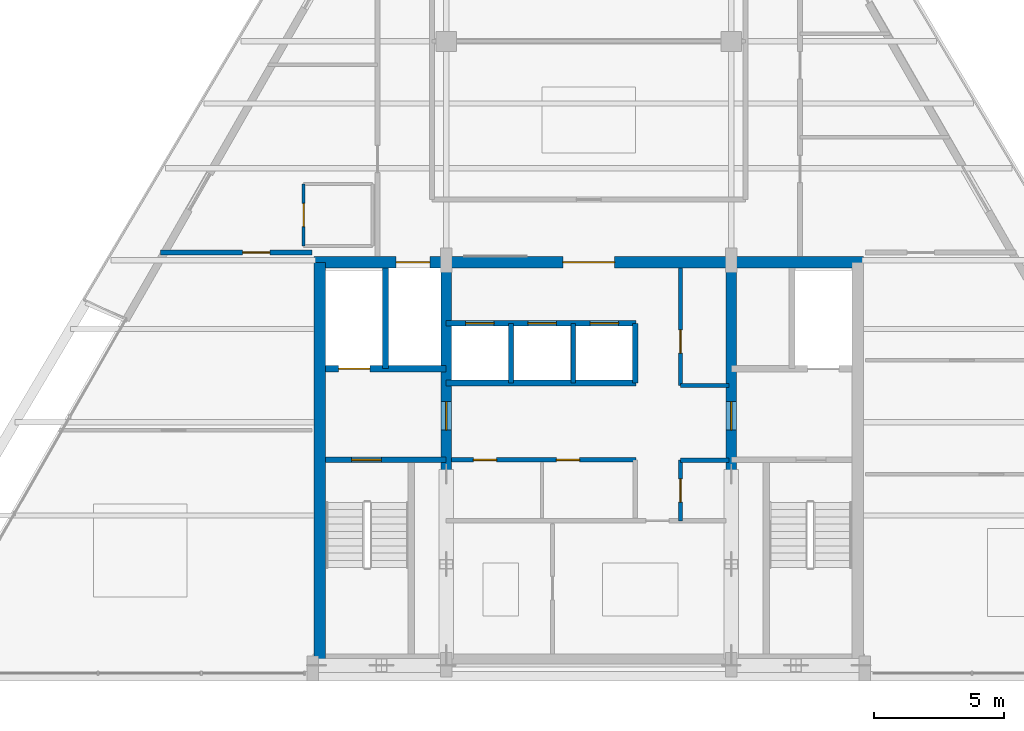
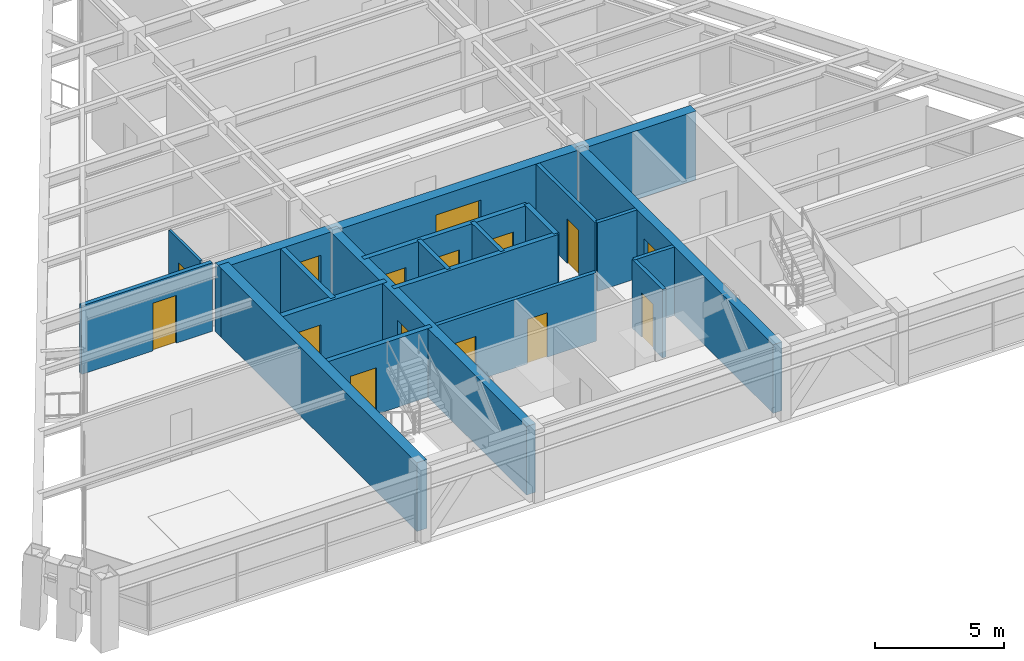
# One storey, part 9 of 13: 19 walls, 15 doors, 15 openings.
"""IFC4 building model written with IfcOpenShell, lengths in metres."""

from ifc_helpers import new_model, si_unit, direction, frame, frame_2d, origin, place, context, subcontext, project, spatial, rectangle, extrude, source, transform, mapped, material, layer, layer_set, type_object, type_shapes, element, fill, save


model = new_model("IFC4")

# Units and contexts
model_context = context("Model", 3, precision=1e-05, world=origin(), true_north=direction((0.0, 1.0)))
body_context = subcontext(model_context, "Body", "Model", "MODEL_VIEW")
ifc_project = project(units=[si_unit("LENGTHUNIT", "METRE"), si_unit("AREAUNIT", "SQUARE_METRE"), si_unit("VOLUMEUNIT", "CUBIC_METRE"), si_unit("PLANEANGLEUNIT", "RADIAN"), si_unit("MASSUNIT", "GRAM", prefix="KILO")], contexts=[model_context])

# Site, building, storey
site_placement = place(None, origin())
site = spatial("IfcSite", under=ifc_project, at=site_placement, CompositionType="ELEMENT")
building_placement = place(site_placement, origin())
building = spatial("IfcBuilding", under=site, at=building_placement, Name="Varnakhor Terracotta Tower", CompositionType="ELEMENT")
storey_placement = place(building_placement, frame((0.0, 0.0, 297.14990234375)))
storey = spatial("IfcBuildingStorey", under=building, at=storey_placement, Name="L78", CompositionType="ELEMENT", Elevation=297.14990234375)

# Wall, opening, door
ifc_material_1 = material(Name="Moisture-Resistant Tile-Backed Partition", Category="gypsum")
ifc_layer_1 = layer(ifc_material_1, 0.114990234375, Name="Moisture-Resistant Tile-Backed Partition")
ifc_layer_set_1 = layer_set([ifc_layer_1], Name="Moisture-Resistant Tile-Backed Partition")
wall_type_1 = type_object("IfcWallType", Name="WAL-BATH-115", PredefinedType="PARTITIONING", material=ifc_layer_set_1)
wall_1_placement = place(storey_placement, frame((-11.0, 16.60009765625, 0.0), z_axis=(0.0, 0.0, 1.0), x_axis=(0.0, 1.0, 0.0)))
wall_1 = element("IfcWall", 1, at=wall_1_placement, inside=storey, type_object=wall_type_1, Name="L78 En-Suite 1 Wall W", PredefinedType="PARTITIONING", context=body_context, shape_type="SweptSolid", body=[
    extrude(rectangle(XDim=2.39990234375, YDim=0.114990234375, at=frame_2d((1.199951171875, 0.0))), origin(), (0.0, 0.0, 1.0), 3.232177734375),
])
opening_1_placement = place(wall_1_placement, frame((0.75, 0.0, 0.0)))
opening_1 = element("IfcOpeningElement", 2, at=opening_1_placement, cuts=wall_1, Name="Opening DR-93", PredefinedType="OPENING", context=body_context, shape_type="SweptSolid", body=[
    extrude(rectangle(XDim=0.89990234375, YDim=2.14990234375, at=frame_2d((0.449951171875, 1.074951171875))), frame((0.0, 0.0673828125, 0.0), z_axis=(0.0, -1.0, 0.0), x_axis=(1.0, 0.0, 0.0)), (0.0, 0.0, 1.0), 0.135009765625),
])
ifc_material_2 = material(Name="Moisture-Resistant Accessible Bathroom Door", Category="wood")
door_type_1 = type_object("IfcDoorType", Name="DR-BATH-900X2150", OperationType="NOTDEFINED", PredefinedType="DOOR", material=ifc_material_2)
shared_shape_1 = source(origin(), body_context, "Body", "SweptSolid", [
    extrude(rectangle(XDim=0.89990234375, YDim=2.14990234375, at=frame_2d((0.449951171875, 1.074951171875))), frame((0.0, 0.02490234375, 0.0), z_axis=(0.0, -1.0, 0.0), x_axis=(1.0, 0.0, 0.0)), (0.0, 0.0, 1.0), 0.050048828125),
])
type_shapes(door_type_1, [shared_shape_1])
door_1_placement = place(opening_1_placement, origin())
door_1 = element("IfcDoor", 3, at=door_1_placement, inside=storey, type_object=door_type_1, Name="L78 En-Suite Bathroom 1 Door", OperationType="SINGLE_SWING_LEFT", OverallHeight=2.14990234375, OverallWidth=0.89990234375, PredefinedType="DOOR", context=body_context, shape_type="MappedRepresentation", body=[
    mapped(shared_shape_1, transform((0.0, 0.0, 0.0), scale=1.0)),
])
fill(opening_1, door_1)

# Wall, openings, doors
ifc_material_3 = material(Name="Concrete C50/60", Category="concrete")
ifc_layer_2 = layer(ifc_material_3, 0.449951171875, Name="Concrete C50/60")
ifc_layer_set_2 = layer_set([ifc_layer_2], Name="Concrete C50/60")
wall_type_2 = type_object("IfcWallType", Name="WAL-CORE-450", PredefinedType="SHEAR", material=ifc_layer_set_2)
wall_2_placement = place(storey_placement, frame((-10.60009765625, 15.97509765625, 0.0), z_axis=(0.0, 0.0, 1.0), x_axis=(1.0, 0.0, 0.0)))
wall_2 = element("IfcWall", 4, at=wall_2_placement, inside=storey, type_object=wall_type_2, Name="L78 North Core Shear Wall", PredefinedType="SHEAR", context=body_context, shape_type="SweptSolid", body=[
    extrude(rectangle(XDim=21.2001953125, YDim=0.449951171875, at=frame_2d((10.60009765625, 0.0))), origin(), (0.0, 0.0, 1.0), 3.239990234375),
])
opening_2_placement = place(wall_2_placement, frame((3.169921875, 0.0, 0.0)))
opening_2 = element("IfcOpeningElement", 5, at=opening_2_placement, cuts=wall_2, Name="Opening LD-03", PredefinedType="OPENING", context=body_context, shape_type="SweptSolid", body=[
    extrude(rectangle(XDim=1.300048828125, YDim=2.300048828125, at=frame_2d((0.64990234375, 1.14990234375))), frame((0.0, 0.23486328125, 0.0), z_axis=(0.0, -1.0, 0.0), x_axis=(1.0, 0.0, 0.0)), (0.0, 0.0, 1.0), 0.469970703125),
])
opening_3_placement = place(wall_2_placement, frame((9.60009765625, 0.0, 0.0)))
opening_3 = element("IfcOpeningElement", 6, at=opening_3_placement, cuts=wall_2, Name="Opening DR-32", PredefinedType="OPENING", context=body_context, shape_type="SweptSolid", body=[
    extrude(rectangle(XDim=2.0, YDim=2.39990234375, at=frame_2d((1.0, 1.199951171875))), frame((0.0, 0.23486328125, 0.0), z_axis=(0.0, -1.0, 0.0), x_axis=(1.0, 0.0, 0.0)), (0.0, 0.0, 1.0), 0.469970703125),
])
ifc_material_4 = material(Name="Heavy-Duty Goods Sliding Lift Landing Door", Category="steel")
door_type_2 = type_object("IfcDoorType", Name="LD-SRV-1300X2300", OperationType="NOTDEFINED", PredefinedType="DOOR", material=ifc_material_4)
shared_shape_2 = source(origin(), body_context, "Body", "SweptSolid", [
    extrude(rectangle(XDim=1.300048828125, YDim=2.300048828125, at=frame_2d((0.64990234375, 1.14990234375))), frame((0.0, 0.02490234375, 0.0), z_axis=(0.0, -1.0, 0.0), x_axis=(1.0, 0.0, 0.0)), (0.0, 0.0, 1.0), 0.050048828125),
])
type_shapes(door_type_2, [shared_shape_2])
door_2_placement = place(opening_2_placement, origin())
door_2 = element("IfcDoor", 7, at=door_2_placement, inside=storey, type_object=door_type_2, Name="L78 Service Lift SVL-1 Landing Door", OperationType="SLIDING_TO_RIGHT", OverallHeight=2.300048828125, OverallWidth=1.300048828125, PredefinedType="DOOR", context=body_context, shape_type="MappedRepresentation", body=[
    mapped(shared_shape_2, transform((0.0, 0.0, 0.0), scale=1.0)),
])
fill(opening_2, door_2)
ifc_material_5 = material(Name="Acoustic Double Assembly Fire Door", Category="wood")
door_type_3 = type_object("IfcDoorType", Name="DR-HALL-2000X2400", OperationType="NOTDEFINED", PredefinedType="DOOR", material=ifc_material_5)
shared_shape_3 = source(origin(), body_context, "Body", "SweptSolid", [
    extrude(rectangle(XDim=2.0, YDim=2.39990234375, at=frame_2d((1.0, 1.199951171875))), frame((0.0, 0.02490234375, 0.0), z_axis=(0.0, -1.0, 0.0), x_axis=(1.0, 0.0, 0.0)), (0.0, 0.0, 1.0), 0.050048828125),
])
type_shapes(door_type_3, [shared_shape_3])
door_3_placement = place(opening_3_placement, origin())
door_3 = element("IfcDoor", 8, at=door_3_placement, inside=storey, type_object=door_type_3, Name="L78 Core Main Lobby Double Door", OperationType="DOUBLE_DOOR_SINGLE_SWING", OverallHeight=2.39990234375, OverallWidth=2.0, PredefinedType="DOOR", context=body_context, shape_type="MappedRepresentation", body=[
    mapped(shared_shape_3, transform((0.0, 0.0, 0.0), scale=1.0)),
])
fill(opening_3, door_3)

# Wall
wall_3_placement = place(storey_placement, frame((-10.375, 0.625, 0.0), z_axis=(0.0, 0.0, 1.0), x_axis=(0.0, 1.0, 0.0)))
element("IfcWall", 9, at=wall_3_placement, inside=storey, type_object=wall_type_2, Name="L78 West Core Shear Wall", PredefinedType="SHEAR", context=body_context, shape_type="SweptSolid", body=[
    extrude(rectangle(XDim=15.35009765625, YDim=0.449951171875, at=frame_2d((7.675048828125, 0.0))), origin(), (0.0, 0.0, 1.0), 3.239990234375),
])

# Wall, opening, door
ifc_layer_3 = layer(ifc_material_3, 0.39990234375, Name="Concrete C50/60")
ifc_layer_set_3 = layer_set([ifc_layer_3], Name="Concrete C50/60")
wall_type_3 = type_object("IfcWallType", Name="WAL-CORE-WEB-400", PredefinedType="SHEAR", material=ifc_layer_set_3)
wall_4_placement = place(storey_placement, frame((-5.5, 0.625, 0.0), z_axis=(0.0, 0.0, 1.0), x_axis=(0.0, 1.0, 0.0)))
wall_4 = element("IfcWall", 10, at=wall_4_placement, inside=storey, type_object=wall_type_3, Name="L78 West Core Web Shear Wall", PredefinedType="SHEAR", context=body_context, shape_type="SweptSolid", body=[
    extrude(rectangle(XDim=15.35009765625, YDim=0.39990234375, at=frame_2d((7.675048828125, 0.0))), origin(), (0.0, 0.0, 1.0), 3.239990234375),
])
opening_4_placement = place(wall_4_placement, frame((8.875, 0.0, 0.0)))
opening_4 = element("IfcOpeningElement", 11, at=opening_4_placement, cuts=wall_4, Name="Opening DR-25", PredefinedType="OPENING", context=body_context, shape_type="SweptSolid", body=[
    extrude(rectangle(XDim=1.10009765625, YDim=2.199951171875, at=frame_2d((0.550048828125, 1.10009765625))), frame((0.0, 0.2099609375, 0.0), z_axis=(0.0, -1.0, 0.0), x_axis=(1.0, 0.0, 0.0)), (0.0, 0.0, 1.0), 0.419921875),
])
ifc_material_6 = material(Name="Firefighting Lobby Self-Closing Fire Door", Category="steel")
door_type_4 = type_object("IfcDoorType", Name="DR-FFL-1100X2200", OperationType="NOTDEFINED", PredefinedType="DOOR", material=ifc_material_6)
shared_shape_4 = source(origin(), body_context, "Body", "SweptSolid", [
    extrude(rectangle(XDim=1.10009765625, YDim=2.199951171875, at=frame_2d((0.550048828125, 1.10009765625))), frame((0.0, 0.02490234375, 0.0), z_axis=(0.0, -1.0, 0.0), x_axis=(1.0, 0.0, 0.0)), (0.0, 0.0, 1.0), 0.050048828125),
])
type_shapes(door_type_4, [shared_shape_4])
door_4_placement = place(opening_4_placement, origin())
door_4 = element("IfcDoor", 12, at=door_4_placement, inside=storey, type_object=door_type_4, Name="L78 West Firefighting Lobby Door", OperationType="SINGLE_SWING_RIGHT", OverallHeight=2.199951171875, OverallWidth=1.10009765625, PredefinedType="DOOR", context=body_context, shape_type="MappedRepresentation", body=[
    mapped(shared_shape_4, transform((0.0, 0.0, 0.0), scale=1.0)),
])
fill(opening_4, door_4)

wall_5_placement = place(storey_placement, frame((5.5, 0.625, 0.0), z_axis=(0.0, 0.0, 1.0), x_axis=(0.0, 1.0, 0.0)))
wall_5 = element("IfcWall", 13, at=wall_5_placement, inside=storey, type_object=wall_type_3, Name="L78 East Core Web Shear Wall", PredefinedType="SHEAR", context=body_context, shape_type="SweptSolid", body=[
    extrude(rectangle(XDim=15.35009765625, YDim=0.39990234375, at=frame_2d((7.675048828125, 0.0))), origin(), (0.0, 0.0, 1.0), 3.239990234375),
])
opening_5_placement = place(wall_5_placement, frame((8.875, 0.0, 0.0)))
opening_5 = element("IfcOpeningElement", 14, at=opening_5_placement, cuts=wall_5, Name="Opening DR-25", PredefinedType="OPENING", context=body_context, shape_type="SweptSolid", body=[
    extrude(rectangle(XDim=1.10009765625, YDim=2.199951171875, at=frame_2d((0.550048828125, 1.10009765625))), frame((0.0, 0.2099609375, 0.0), z_axis=(0.0, -1.0, 0.0), x_axis=(1.0, 0.0, 0.0)), (0.0, 0.0, 1.0), 0.419921875),
])
door_5_placement = place(opening_5_placement, origin())
door_5 = element("IfcDoor", 15, at=door_5_placement, inside=storey, type_object=door_type_4, Name="L78 East Firefighting Lobby Door", OperationType="SINGLE_SWING_RIGHT", OverallHeight=2.199951171875, OverallWidth=1.10009765625, PredefinedType="DOOR", context=body_context, shape_type="MappedRepresentation", body=[
    mapped(shared_shape_4, transform((0.0, 0.0, 0.0), scale=1.0)),
])
fill(opening_5, door_5)

ifc_material_7 = material(Name="Fire-Rated Gypsum Stud Partition", Category="gypsum")
ifc_layer_4 = layer(ifc_material_7, 0.18505859375, Name="Fire-Rated Gypsum Stud Partition")
ifc_layer_set_4 = layer_set([ifc_layer_4], Name="Fire-Rated Gypsum Stud Partition")
wall_type_4 = type_object("IfcWallType", Name="WAL-CORR-185", PredefinedType="PARTITIONING", material=ifc_layer_set_4)
wall_6_placement = place(storey_placement, frame((-16.52294921875, 16.35009765625, 0.0), z_axis=(0.0, 0.0, 1.0), x_axis=(1.0, 0.0, 0.0)))
wall_6 = element("IfcWall", 16, at=wall_6_placement, inside=storey, type_object=wall_type_4, Name="L78 South West Guest Entry Wall", PredefinedType="PARTITIONING", context=body_context, shape_type="SweptSolid", body=[
    extrude(rectangle(XDim=5.843017578125, YDim=0.18505859375, at=frame_2d((2.92138671875, 0.0))), origin(), (0.0, 0.0, 1.0), 3.232177734375),
])
opening_6_placement = place(wall_6_placement, frame((3.1708984375, 0.0, 0.0)))
opening_6 = element("IfcOpeningElement", 17, at=opening_6_placement, cuts=wall_6, Name="Opening DR-95", PredefinedType="OPENING", context=body_context, shape_type="SweptSolid", body=[
    extrude(rectangle(XDim=1.050048828125, YDim=2.25, at=frame_2d((0.52490234375, 1.125))), frame((0.0, 0.1025390625, 0.0), z_axis=(0.0, -1.0, 0.0), x_axis=(1.0, 0.0, 0.0)), (0.0, 0.0, 1.0), 0.205078125),
])
ifc_material_8 = material(Name="Solid-Core Timber Tenant/Hotel Entrance Door", Category="wood")
door_type_5 = type_object("IfcDoorType", Name="DR-SUITE-1050X2250", OperationType="NOTDEFINED", PredefinedType="DOOR", material=ifc_material_8)
shared_shape_5 = source(origin(), body_context, "Body", "SweptSolid", [
    extrude(rectangle(XDim=1.050048828125, YDim=2.25, at=frame_2d((0.52490234375, 1.125))), frame((0.0, 0.02490234375, 0.0), z_axis=(0.0, -1.0, 0.0), x_axis=(1.0, 0.0, 0.0)), (0.0, 0.0, 1.0), 0.050048828125),
])
type_shapes(door_type_5, [shared_shape_5])
door_6_placement = place(opening_6_placement, origin())
door_6 = element("IfcDoor", 18, at=door_6_placement, inside=storey, type_object=door_type_5, Name="L78 SW Suite Entry Door", OperationType="SINGLE_SWING_LEFT", OverallHeight=2.25, OverallWidth=1.050048828125, PredefinedType="DOOR", context=body_context, shape_type="MappedRepresentation", body=[
    mapped(shared_shape_5, transform((0.0, 0.0, 0.0), scale=1.0)),
])
fill(opening_6, door_6)

ifc_material_9 = material(Name="Concrete C40/50", Category="concrete")
ifc_layer_5 = layer(ifc_material_9, 0.219970703125, Name="Concrete C40/50")
ifc_layer_set_5 = layer_set([ifc_layer_5], Name="Concrete C40/50")
wall_type_5 = type_object("IfcWallType", Name="WAL-FFLOBBY-220", PredefinedType="SOLIDWALL", material=ifc_layer_set_5)
wall_7_placement = place(storey_placement, frame((-5.5, 8.35009765625, 0.0), z_axis=(0.0, 0.0, 1.0), x_axis=(-1.0, 0.0, 0.0)))
wall_7 = element("IfcWall", 19, at=wall_7_placement, inside=storey, type_object=wall_type_5, Name="L78 West Firefighting Lobby Stair Wall", PredefinedType="SOLIDWALL", context=body_context, shape_type="SweptSolid", body=[
    extrude(rectangle(XDim=4.64990234375, YDim=0.219970703125, at=frame_2d((2.324951171875, 0.0))), origin(), (0.0, 0.0, 1.0), 3.239990234375),
])
opening_7_placement = place(wall_7_placement, frame((2.5, 0.0, 0.0)))
opening_7 = element("IfcOpeningElement", 20, at=opening_7_placement, cuts=wall_7, Name="Opening DR-34", PredefinedType="OPENING", context=body_context, shape_type="SweptSolid", body=[
    extrude(rectangle(XDim=1.14990234375, YDim=2.199951171875, at=frame_2d((0.574951171875, 1.10009765625))), frame((0.0, 0.1201171875, 0.0), z_axis=(0.0, -1.0, 0.0), x_axis=(1.0, 0.0, 0.0)), (0.0, 0.0, 1.0), 0.239990234375),
])
ifc_material_10 = material(Name="Self-Closing Smoke-Sealed Steel Fire Door", Category="steel")
door_type_6 = type_object("IfcDoorType", Name="DR-STAIR-1150X2200", OperationType="NOTDEFINED", PredefinedType="DOOR", material=ifc_material_10)
shared_shape_6 = source(origin(), body_context, "Body", "SweptSolid", [
    extrude(rectangle(XDim=1.14990234375, YDim=2.199951171875, at=frame_2d((0.574951171875, 1.10009765625))), frame((0.0, 0.02490234375, 0.0), z_axis=(0.0, -1.0, 0.0), x_axis=(1.0, 0.0, 0.0)), (0.0, 0.0, 1.0), 0.050048828125),
])
type_shapes(door_type_6, [shared_shape_6])
door_7_placement = place(opening_7_placement, origin())
door_7 = element("IfcDoor", 21, at=door_7_placement, inside=storey, type_object=door_type_6, Name="L78 Exit Stair ST-1 Fire Door", OperationType="SINGLE_SWING_LEFT", OverallHeight=2.199951171875, OverallWidth=1.14990234375, PredefinedType="DOOR", context=body_context, shape_type="MappedRepresentation", body=[
    mapped(shared_shape_6, transform((0.0, 0.0, 0.0), scale=1.0)),
])
fill(opening_7, door_7)

# Walls
ifc_layer_6 = layer(ifc_material_9, 0.179931640625, Name="Concrete C40/50")
ifc_layer_set_6 = layer_set([ifc_layer_6], Name="Concrete C40/50")
wall_type_6 = type_object("IfcWallType", Name="WAL-SHAFT-180", PredefinedType="SOLIDWALL", material=ifc_layer_set_6)
for number, where, z_axis, x_axis, name in (
    (22, (-3.0, 11.320068359375, 0.0), (0.0, 0.0, 1.0), (0.0, 1.0, 0.0), "L78 PL-3A Divider"),
    (23, (-0.60009765625, 11.320068359375, 0.0), (0.0, 0.0, 1.0), (0.0, 1.0, 0.0), "L78 PL-3B Divider"),
):
    element("IfcWall", number, at=place(storey_placement, frame(where, z_axis=z_axis, x_axis=x_axis)), inside=storey, type_object=wall_type_6, Name=name, PredefinedType="SOLIDWALL", context=body_context, shape_type="SweptSolid", body=[
        extrude(rectangle(XDim=2.300048828125, YDim=0.179931640625, at=frame_2d((1.14990234375, 0.0))), origin(), (0.0, 0.0, 1.0), 3.239990234375),
    ])
ifc_layer_7 = layer(ifc_material_9, 0.219970703125, Name="Concrete C40/50")
ifc_layer_set_7 = layer_set([ifc_layer_7], Name="Concrete C40/50")
wall_type_7 = type_object("IfcWallType", Name="WAL-SHAFT-220", PredefinedType="SOLIDWALL", material=ifc_layer_set_7)
wall_8_placement = place(storey_placement, frame((-7.840087890625, 11.8701171875, 0.0), z_axis=(0.0, 0.0, 1.0), x_axis=(0.0, 1.0, 0.0)))
element("IfcWall", 24, at=wall_8_placement, inside=storey, type_object=wall_type_7, Name="L78 Lift FFL-1 and SVL-1 Divider Wall", PredefinedType="SOLIDWALL", context=body_context, shape_type="SweptSolid", body=[
    extrude(rectangle(XDim=3.8798828125, YDim=0.219970703125, at=frame_2d((1.93994140625, 0.0))), origin(), (0.0, 0.0, 1.0), 3.239990234375),
])
wall_9_placement = place(storey_placement, frame((-5.5, 11.320068359375, 0.0), z_axis=(0.0, 0.0, 1.0), x_axis=(1.0, 0.0, 0.0)))
element("IfcWall", 25, at=wall_9_placement, inside=storey, type_object=wall_type_7, Name="L78 Bank 3 South Shaft Wall", PredefinedType="SOLIDWALL", context=body_context, shape_type="SweptSolid", body=[
    extrude(rectangle(XDim=7.320068359375, YDim=0.219970703125, at=frame_2d((3.66015625, 0.0))), origin(), (0.0, 0.0, 1.0), 3.239990234375),
])

# Wall, openings, doors
wall_10_placement = place(storey_placement, frame((-5.5, 13.6201171875, 0.0), z_axis=(0.0, 0.0, 1.0), x_axis=(1.0, 0.0, 0.0)))
wall_10 = element("IfcWall", 26, at=wall_10_placement, inside=storey, type_object=wall_type_7, Name="L78 Bank 3 North Shaft Wall", PredefinedType="SOLIDWALL", context=body_context, shape_type="SweptSolid", body=[
    extrude(rectangle(XDim=7.320068359375, YDim=0.219970703125, at=frame_2d((3.66015625, 0.0))), origin(), (0.0, 0.0, 1.0), 3.239990234375),
])
opening_8_placement = place(wall_10_placement, frame((0.75, 0.0, 0.0)))
opening_8 = element("IfcOpeningElement", 27, at=opening_8_placement, cuts=wall_10, Name="Opening LD-01", PredefinedType="OPENING", context=body_context, shape_type="SweptSolid", body=[
    extrude(rectangle(XDim=1.10009765625, YDim=2.199951171875, at=frame_2d((0.550048828125, 1.10009765625))), frame((0.0, 0.1201171875, 0.0), z_axis=(0.0, -1.0, 0.0), x_axis=(1.0, 0.0, 0.0)), (0.0, 0.0, 1.0), 0.239990234375),
])
opening_9_placement = place(wall_10_placement, frame((3.14990234375, 0.0, 0.0)))
opening_9 = element("IfcOpeningElement", 28, at=opening_9_placement, cuts=wall_10, Name="Opening LD-01", PredefinedType="OPENING", context=body_context, shape_type="SweptSolid", body=[
    extrude(rectangle(XDim=1.10009765625, YDim=2.199951171875, at=frame_2d((0.550048828125, 1.10009765625))), frame((0.0, 0.1201171875, 0.0), z_axis=(0.0, -1.0, 0.0), x_axis=(1.0, 0.0, 0.0)), (0.0, 0.0, 1.0), 0.239990234375),
])
opening_10_placement = place(wall_10_placement, frame((5.550048828125, 0.0, 0.0)))
opening_10 = element("IfcOpeningElement", 29, at=opening_10_placement, cuts=wall_10, Name="Opening LD-01", PredefinedType="OPENING", context=body_context, shape_type="SweptSolid", body=[
    extrude(rectangle(XDim=1.10009765625, YDim=2.199951171875, at=frame_2d((0.550048828125, 1.10009765625))), frame((0.0, 0.1201171875, 0.0), z_axis=(0.0, -1.0, 0.0), x_axis=(1.0, 0.0, 0.0)), (0.0, 0.0, 1.0), 0.239990234375),
])
ifc_material_11 = material(Name="Brushed Stainless Steel Sliding Lift Landing Door", Category="steel")
door_type_7 = type_object("IfcDoorType", Name="LD-PASS-1100X2200", OperationType="NOTDEFINED", PredefinedType="DOOR", material=ifc_material_11)
shared_shape_7 = source(origin(), body_context, "Body", "SweptSolid", [
    extrude(rectangle(XDim=1.10009765625, YDim=2.199951171875, at=frame_2d((0.550048828125, 1.10009765625))), frame((0.0, 0.02490234375, 0.0), z_axis=(0.0, -1.0, 0.0), x_axis=(1.0, 0.0, 0.0)), (0.0, 0.0, 1.0), 0.050048828125),
])
type_shapes(door_type_7, [shared_shape_7])
door_8_placement = place(opening_8_placement, origin())
door_8 = element("IfcDoor", 30, at=door_8_placement, inside=storey, type_object=door_type_7, Name="L78 Passenger Lift PL-3A Landing Door", OperationType="SLIDING_TO_RIGHT", OverallHeight=2.199951171875, OverallWidth=1.10009765625, PredefinedType="DOOR", context=body_context, shape_type="MappedRepresentation", body=[
    mapped(shared_shape_7, transform((0.0, 0.0, 0.0), scale=1.0)),
])
fill(opening_8, door_8)
door_9_placement = place(opening_9_placement, origin())
door_9 = element("IfcDoor", 31, at=door_9_placement, inside=storey, type_object=door_type_7, Name="L78 Passenger Lift PL-3B Landing Door", OperationType="SLIDING_TO_RIGHT", OverallHeight=2.199951171875, OverallWidth=1.10009765625, PredefinedType="DOOR", context=body_context, shape_type="MappedRepresentation", body=[
    mapped(shared_shape_7, transform((0.0, 0.0, 0.0), scale=1.0)),
])
fill(opening_9, door_9)
door_10_placement = place(opening_10_placement, origin())
door_10 = element("IfcDoor", 32, at=door_10_placement, inside=storey, type_object=door_type_7, Name="L78 Passenger Lift PL-3C Landing Door", OperationType="SLIDING_TO_RIGHT", OverallHeight=2.199951171875, OverallWidth=1.10009765625, PredefinedType="DOOR", context=body_context, shape_type="MappedRepresentation", body=[
    mapped(shared_shape_7, transform((0.0, 0.0, 0.0), scale=1.0)),
])
fill(opening_10, door_10)

# Wall
wall_11_placement = place(storey_placement, frame((1.800048828125, 11.320068359375, 0.0), z_axis=(0.0, 0.0, 1.0), x_axis=(0.0, 1.0, 0.0)))
element("IfcWall", 33, at=wall_11_placement, inside=storey, type_object=wall_type_7, Name="L78 Bank 3 East Shaft Wall", PredefinedType="SOLIDWALL", context=body_context, shape_type="SweptSolid", body=[
    extrude(rectangle(XDim=2.300048828125, YDim=0.219970703125, at=frame_2d((1.14990234375, 0.0))), origin(), (0.0, 0.0, 1.0), 3.239990234375),
])

# Wall, opening, door
ifc_layer_8 = layer(ifc_material_9, 0.25, Name="Concrete C40/50")
ifc_layer_set_8 = layer_set([ifc_layer_8], Name="Concrete C40/50")
wall_type_8 = type_object("IfcWallType", Name="WAL-SHAFT-250", PredefinedType="SOLIDWALL", material=ifc_layer_set_8)
wall_12_placement = place(storey_placement, frame((-5.5, 11.8701171875, 0.0), z_axis=(0.0, 0.0, 1.0), x_axis=(-1.0, 0.0, 0.0)))
wall_12 = element("IfcWall", 34, at=wall_12_placement, inside=storey, type_object=wall_type_8, Name="L78 Lift FFL-1 Shaft Front Wall", PredefinedType="SOLIDWALL", context=body_context, shape_type="SweptSolid", body=[
    extrude(rectangle(XDim=4.64990234375, YDim=0.25, at=frame_2d((2.324951171875, 0.0))), origin(), (0.0, 0.0, 1.0), 3.239990234375),
])
opening_11_placement = place(wall_12_placement, frame((2.949951171875, 0.0, 0.0)))
opening_11 = element("IfcOpeningElement", 35, at=opening_11_placement, cuts=wall_12, Name="Opening LD-02", PredefinedType="OPENING", context=body_context, shape_type="SweptSolid", body=[
    extrude(rectangle(XDim=1.199951171875, YDim=2.25, at=frame_2d((0.60009765625, 1.125))), frame((0.0, 0.135009765625, 0.0), z_axis=(0.0, -1.0, 0.0), x_axis=(1.0, 0.0, 0.0)), (0.0, 0.0, 1.0), 0.27001953125),
])
ifc_material_12 = material(Name="Firefighting Stretcher Sliding Lift Landing Door", Category="steel")
door_type_8 = type_object("IfcDoorType", Name="LD-FFL-1200X2250", OperationType="NOTDEFINED", PredefinedType="DOOR", material=ifc_material_12)
shared_shape_8 = source(origin(), body_context, "Body", "SweptSolid", [
    extrude(rectangle(XDim=1.199951171875, YDim=2.25, at=frame_2d((0.60009765625, 1.125))), frame((0.0, 0.02490234375, 0.0), z_axis=(0.0, -1.0, 0.0), x_axis=(1.0, 0.0, 0.0)), (0.0, 0.0, 1.0), 0.050048828125),
])
type_shapes(door_type_8, [shared_shape_8])
door_11_placement = place(opening_11_placement, origin())
door_11 = element("IfcDoor", 36, at=door_11_placement, inside=storey, type_object=door_type_8, Name="L78 Firefighting Lift FFL-1 Landing Door", OperationType="SLIDING_TO_LEFT", OverallHeight=2.25, OverallWidth=1.199951171875, PredefinedType="DOOR", context=body_context, shape_type="MappedRepresentation", body=[
    mapped(shared_shape_8, transform((0.0, 0.0, 0.0), scale=1.0)),
])
fill(opening_11, door_11)

ifc_material_13 = material(Name="Acoustic Fire-Rated Partition", Category="gypsum")
ifc_layer_9 = layer(ifc_material_13, 0.1650390625, Name="Acoustic Fire-Rated Partition")
ifc_layer_set_9 = layer_set([ifc_layer_9], Name="Acoustic Fire-Rated Partition")
wall_type_9 = type_object("IfcWallType", Name="WAL-TENANCY-165", PredefinedType="PARTITIONING", material=ifc_layer_set_9)
wall_13_placement = place(storey_placement, frame((3.5400390625, 6.0, 0.0), z_axis=(0.0, 0.0, 1.0), x_axis=(0.0, 1.0, 0.0)))
wall_13 = element("IfcWall", 37, at=wall_13_placement, inside=storey, type_object=wall_type_9, Name="L78 Accessible WC Rated Wall", PredefinedType="PARTITIONING", context=body_context, shape_type="SweptSolid", body=[
    extrude(rectangle(XDim=2.340087890625, YDim=0.1650390625, at=frame_2d((1.169921875, 0.0))), origin(), (0.0, 0.0, 1.0), 3.232177734375),
])
opening_12_placement = place(wall_13_placement, frame((0.719970703125, 0.0, 0.0)))
opening_12 = element("IfcOpeningElement", 38, at=opening_12_placement, cuts=wall_13, Name="Opening DR-67", PredefinedType="OPENING", context=body_context, shape_type="SweptSolid", body=[
    extrude(rectangle(XDim=0.89990234375, YDim=2.10009765625, at=frame_2d((0.449951171875, 1.050048828125))), frame((0.0, 0.092529296875, 0.0), z_axis=(0.0, -1.0, 0.0), x_axis=(1.0, 0.0, 0.0)), (0.0, 0.0, 1.0), 0.18505859375),
])
ifc_material_14 = material(Name="Steel Service Riser Fire Door", Category="steel")
door_type_9 = type_object("IfcDoorType", Name="DR-RISER-900X2100", OperationType="NOTDEFINED", PredefinedType="DOOR", material=ifc_material_14)
shared_shape_9 = source(origin(), body_context, "Body", "SweptSolid", [
    extrude(rectangle(XDim=0.89990234375, YDim=2.10009765625, at=frame_2d((0.449951171875, 1.050048828125))), frame((0.0, 0.02490234375, 0.0), z_axis=(0.0, -1.0, 0.0), x_axis=(1.0, 0.0, 0.0)), (0.0, 0.0, 1.0), 0.050048828125),
])
type_shapes(door_type_9, [shared_shape_9])
door_12_placement = place(opening_12_placement, origin())
door_12 = element("IfcDoor", 39, at=door_12_placement, inside=storey, type_object=door_type_9, Name="L78 Accessible WC Door", OperationType="SINGLE_SWING_LEFT", OverallHeight=2.10009765625, OverallWidth=0.89990234375, PredefinedType="DOOR", context=body_context, shape_type="MappedRepresentation", body=[
    mapped(shared_shape_9, transform((0.0, 0.0, 0.0), scale=1.0)),
])
fill(opening_12, door_12)

# Wall
wall_14_placement = place(storey_placement, frame((3.5400390625, 8.340087890625, 0.0), z_axis=(0.0, 0.0, 1.0), x_axis=(1.0, 0.0, 0.0)))
element("IfcWall", 40, at=wall_14_placement, inside=storey, type_object=wall_type_9, Name="L78 Accessible WC North Wall", PredefinedType="PARTITIONING", context=body_context, shape_type="SweptSolid", body=[
    extrude(rectangle(XDim=1.8798828125, YDim=0.1650390625, at=frame_2d((0.93994140625, 0.0))), origin(), (0.0, 0.0, 1.0), 3.232177734375),
])

# Wall, openings, doors
wall_15_placement = place(storey_placement, frame((-5.300048828125, 8.35009765625, 0.0), z_axis=(0.0, 0.0, 1.0), x_axis=(1.0, 0.0, 0.0)))
wall_15 = element("IfcWall", 41, at=wall_15_placement, inside=storey, type_object=wall_type_9, Name="L78 Reclaimed Mid-Core North Wall", PredefinedType="PARTITIONING", context=body_context, shape_type="SweptSolid", body=[
    extrude(rectangle(XDim=7.1201171875, YDim=0.1650390625, at=frame_2d((3.56005859375, 0.0))), origin(), (0.0, 0.0, 1.0), 3.232177734375),
])
opening_13_placement = place(wall_15_placement, frame((0.85009765625, 0.0, 0.0)))
opening_13 = element("IfcOpeningElement", 42, at=opening_13_placement, cuts=wall_15, Name="Opening DR-67", PredefinedType="OPENING", context=body_context, shape_type="SweptSolid", body=[
    extrude(rectangle(XDim=0.89990234375, YDim=2.10009765625, at=frame_2d((0.449951171875, 1.050048828125))), frame((0.0, 0.092529296875, 0.0), z_axis=(0.0, -1.0, 0.0), x_axis=(1.0, 0.0, 0.0)), (0.0, 0.0, 1.0), 0.18505859375),
])
opening_14_placement = place(wall_15_placement, frame((4.050048828125, 0.0, 0.0)))
opening_14 = element("IfcOpeningElement", 43, at=opening_14_placement, cuts=wall_15, Name="Opening DR-67", PredefinedType="OPENING", context=body_context, shape_type="SweptSolid", body=[
    extrude(rectangle(XDim=0.89990234375, YDim=2.10009765625, at=frame_2d((0.449951171875, 1.050048828125))), frame((0.0, 0.092529296875, 0.0), z_axis=(0.0, -1.0, 0.0), x_axis=(1.0, 0.0, 0.0)), (0.0, 0.0, 1.0), 0.18505859375),
])
door_13_placement = place(opening_13_placement, origin())
door_13 = element("IfcDoor", 44, at=door_13_placement, inside=storey, type_object=door_type_9, Name="L78 Core West Restroom Door", OperationType="SINGLE_SWING_RIGHT", OverallHeight=2.10009765625, OverallWidth=0.89990234375, PredefinedType="DOOR", context=body_context, shape_type="MappedRepresentation", body=[
    mapped(shared_shape_9, transform((0.0, 0.0, 0.0), scale=1.0)),
])
fill(opening_13, door_13)
door_14_placement = place(opening_14_placement, origin())
door_14 = element("IfcDoor", 45, at=door_14_placement, inside=storey, type_object=door_type_9, Name="L78 Core East Restroom Door", OperationType="SINGLE_SWING_LEFT", OverallHeight=2.10009765625, OverallWidth=0.89990234375, PredefinedType="DOOR", context=body_context, shape_type="MappedRepresentation", body=[
    mapped(shared_shape_9, transform((0.0, 0.0, 0.0), scale=1.0)),
])
fill(opening_14, door_14)

# Wall, opening, door
wall_16_placement = place(storey_placement, frame((3.5400390625, 11.219970703125, 0.0), z_axis=(0.0, 0.0, 1.0), x_axis=(0.0, 1.0, 0.0)))
wall_16 = element("IfcWall", 46, at=wall_16_placement, inside=storey, type_object=wall_type_9, Name="L78 Restroom Corridor Wall", PredefinedType="PARTITIONING", context=body_context, shape_type="SweptSolid", body=[
    extrude(rectangle(XDim=4.530029296875, YDim=0.1650390625, at=frame_2d((2.26513671875, 0.0))), origin(), (0.0, 0.0, 1.0), 3.232177734375),
])
opening_15_placement = place(wall_16_placement, frame((1.25, 0.0, 0.0)))
opening_15 = element("IfcOpeningElement", 47, at=opening_15_placement, cuts=wall_16, Name="Opening DR-67", PredefinedType="OPENING", context=body_context, shape_type="SweptSolid", body=[
    extrude(rectangle(XDim=0.89990234375, YDim=2.10009765625, at=frame_2d((0.449951171875, 1.050048828125))), frame((0.0, 0.092529296875, 0.0), z_axis=(0.0, -1.0, 0.0), x_axis=(1.0, 0.0, 0.0)), (0.0, 0.0, 1.0), 0.18505859375),
])
door_15_placement = place(opening_15_placement, origin())
door_15 = element("IfcDoor", 48, at=door_15_placement, inside=storey, type_object=door_type_9, Name="L78 Female WC Door", OperationType="SINGLE_SWING_RIGHT", OverallHeight=2.10009765625, OverallWidth=0.89990234375, PredefinedType="DOOR", context=body_context, shape_type="MappedRepresentation", body=[
    mapped(shared_shape_9, transform((0.0, 0.0, 0.0), scale=1.0)),
])
fill(opening_15, door_15)

# Wall
wall_17_placement = place(storey_placement, frame((3.5400390625, 11.219970703125, 0.0), z_axis=(0.0, 0.0, 1.0), x_axis=(1.0, 0.0, 0.0)))
element("IfcWall", 49, at=wall_17_placement, inside=storey, type_object=wall_type_9, Name="L78 Restroom South Wall", PredefinedType="PARTITIONING", context=body_context, shape_type="SweptSolid", body=[
    extrude(rectangle(XDim=1.8798828125, YDim=0.1650390625, at=frame_2d((0.93994140625, 0.0))), origin(), (0.0, 0.0, 1.0), 3.232177734375),
])

save(model, "model.ifc")
